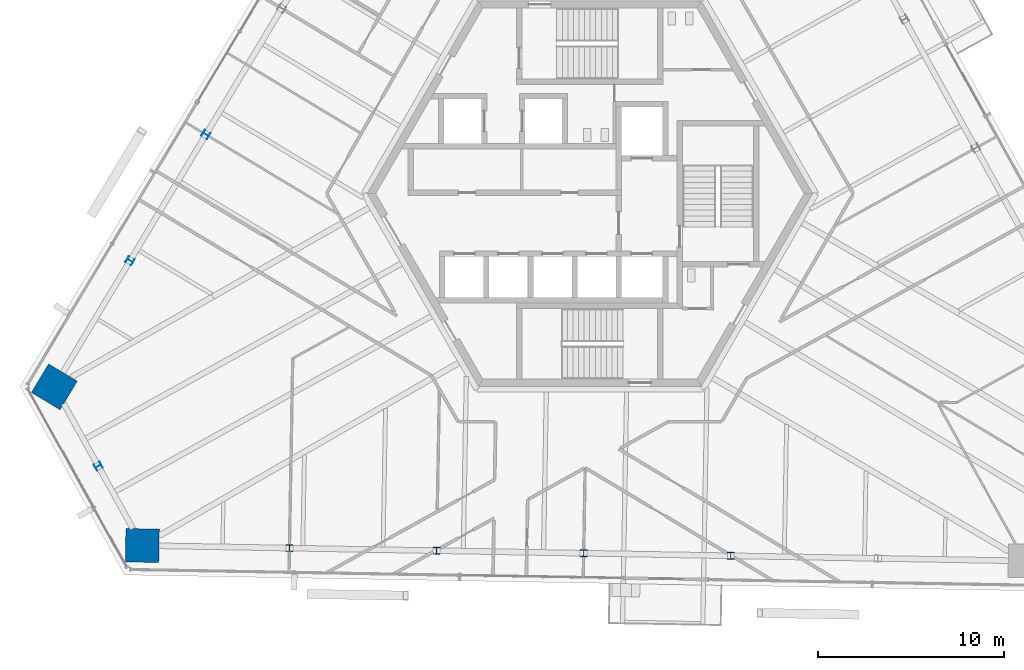
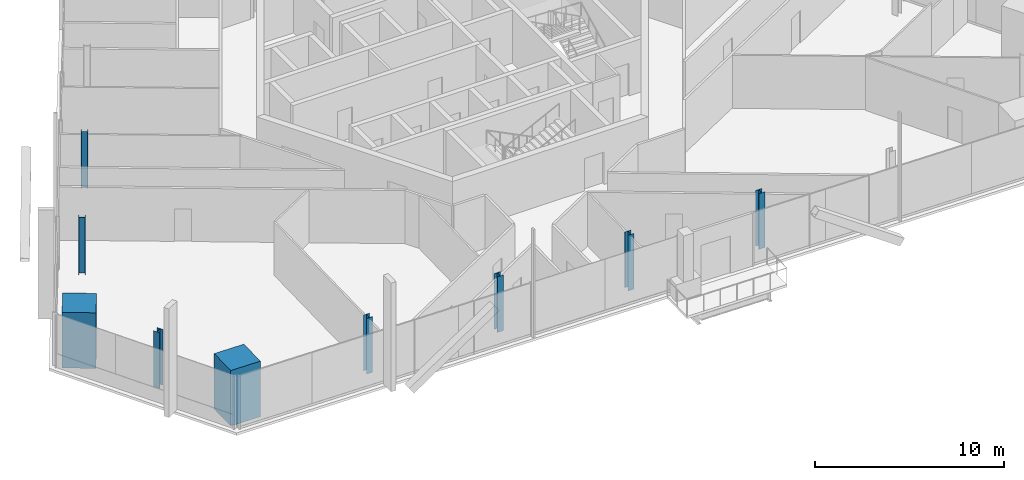
# One storey, part 1 of 21: 9 columns.
"""IFC4 building model written with IfcOpenShell, lengths in metres."""

from ifc_helpers import new_model, si_unit, direction, frame, origin, origin_2d, place, context, subcontext, project, spatial, rectangle, i_section, extrude, source, transform, mapped, material, material_profile, profile_set, type_object, element, save


model = new_model("IFC4")

# Units and contexts
model_context = context("Model", 3, precision=1e-05, world=origin(), true_north=direction((0.0, 1.0)))
body_context = subcontext(model_context, "Body", "Model", "MODEL_VIEW")
ifc_project = project(units=[si_unit("LENGTHUNIT", "METRE"), si_unit("AREAUNIT", "SQUARE_METRE"), si_unit("VOLUMEUNIT", "CUBIC_METRE"), si_unit("PLANEANGLEUNIT", "RADIAN"), si_unit("MASSUNIT", "GRAM", prefix="KILO")], contexts=[model_context])

# Site, building, storey
site_placement = place(None, origin())
site = spatial("IfcSite", under=ifc_project, at=site_placement, CompositionType="ELEMENT")
building_placement = place(site_placement, origin())
building = spatial("IfcBuilding", under=site, at=building_placement, Name="Triune Harvest Tower", CompositionType="ELEMENT")
storey_placement = place(building_placement, frame((0.0, 0.0, 187.10009765625)))
storey = spatial("IfcBuildingStorey", under=building, at=storey_placement, Name="L48", CompositionType="ELEMENT", Elevation=187.10009765625)

# Columns
ifc_material_1 = material(Name="Concrete 70 MPa", Category="concrete")
ifc_material_profile_1 = material_profile(ifc_material_1, rectangle(XDim=1.800048828125, YDim=1.800048828125, at=origin_2d()), Name="Composite 1800x1800")
ifc_profile_set_1 = profile_set([ifc_material_profile_1], Name="Concrete 70 MPa")
column_type_1 = type_object("IfcColumnType", Name="MC-5 Mega column Composite 1800x1800", PredefinedType="COLUMN", material=ifc_profile_set_1)
shared_shape_1 = source(origin(), body_context, "Body", "SweptSolid", [
    extrude(rectangle(XDim=1.800048828125, YDim=1.800048828125, at=origin_2d()), origin(), (0.0, 0.0, 1.0), 3.599853515625),
])
for number, where, z_axis, x_axis, name in (
    (1, (-28.85595703125, -10.406005859375, 0.0), (0.0, 0.0, 1.0), (-0.51503657887, -0.857168199612, 0.0), "col/L48/M14"),
    (2, (-24.1162109375, -18.956787109375, 0.0), (0.0, 0.0, 1.0), (0.999847695156, -0.017452406437, 0.0), "col/L48/M16"),
):
    element("IfcColumn", number, at=place(storey_placement, frame(where, z_axis=z_axis, x_axis=x_axis)), inside=storey, type_object=column_type_1, Name=name, PredefinedType="COLUMN", context=body_context, shape_type="MappedRepresentation", body=[
        mapped(shared_shape_1, transform((0.0, 0.0, 0.0), scale=1.0)),
    ])
ifc_material_2 = material(Name="Steel ASTM A992 Gr 50", Category="steel")
ifc_material_profile_2 = material_profile(ifc_material_2, i_section(OverallWidth=0.370849609375, OverallDepth=0.36328125, WebThickness=0.013427734375, FlangeThickness=0.021728515625, at=origin_2d()), Name="W14x109")
ifc_profile_set_2 = profile_set([ifc_material_profile_2], Name="Steel ASTM A992 Gr 50")
column_type_2 = type_object("IfcColumnType", Name="PC-5 Perimeter column W14x109", PredefinedType="COLUMN", material=ifc_profile_set_2)
shared_shape_2 = source(origin(), body_context, "Body", "SweptSolid", [
    extrude(i_section(OverallWidth=0.370849609375, OverallDepth=0.36328125, WebThickness=0.013427734375, FlangeThickness=0.021728515625, at=origin_2d()), origin(), (0.0, 0.0, 1.0), 3.599853515625),
])
for number, where, z_axis, x_axis, name in (
    (3, (-20.6904296875, 3.183837890625, 0.0), (0.0, 0.0, 1.0), (-0.51503657887, -0.857168199612, 0.0), "col/L48/P12"),
    (4, (-24.773193359375, -3.611083984375, 0.0), (0.0, 0.0, 1.0), (-0.51503657887, -0.857168199612, 0.0), "col/L48/P13"),
    (5, (-26.486083984375, -14.681396484375, 0.0), (0.0, 0.0, 1.0), (0.484808093746, -0.87462055329, 0.0), "col/L48/P15"),
    (6, (-16.190185546875, -19.09521484375, 0.0), (0.0, 0.0, 1.0), (0.999847695156, -0.017452406437, 0.0), "col/L48/P17"),
    (7, (-8.26416015625, -19.233642578125, 0.0), (0.0, 0.0, 1.0), (0.999847695156, -0.017452406437, 0.0), "col/L48/P18"),
    (8, (-0.338134765625, -19.3720703125, 0.0), (0.0, 0.0, 1.0), (0.999847695156, -0.017452406437, 0.0), "col/L48/P19"),
    (9, (7.587890625, -19.510498046875, 0.0), (0.0, 0.0, 1.0), (0.999847695156, -0.017452406437, 0.0), "col/L48/P20"),
):
    element("IfcColumn", number, at=place(storey_placement, frame(where, z_axis=z_axis, x_axis=x_axis)), inside=storey, type_object=column_type_2, Name=name, PredefinedType="COLUMN", context=body_context, shape_type="MappedRepresentation", body=[
        mapped(shared_shape_2, transform((0.0, 0.0, 0.0), scale=1.0)),
    ])

save(model, "model.ifc")
